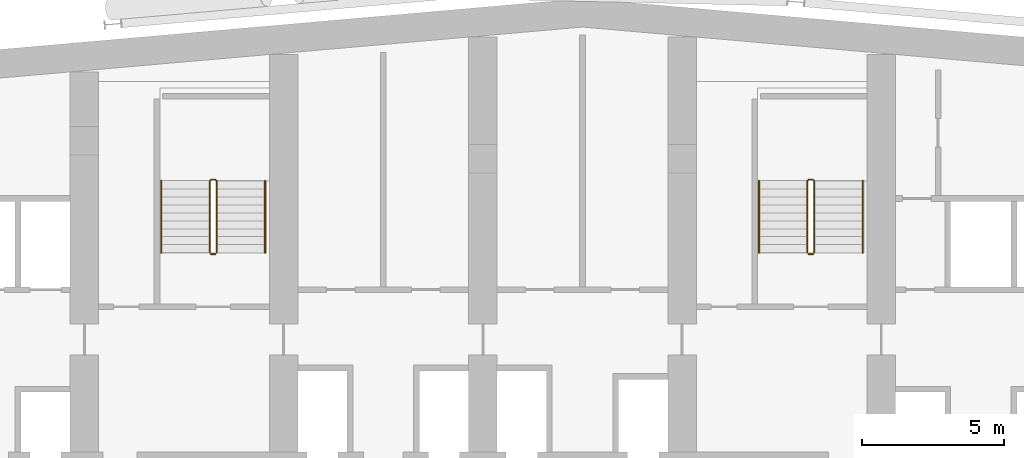
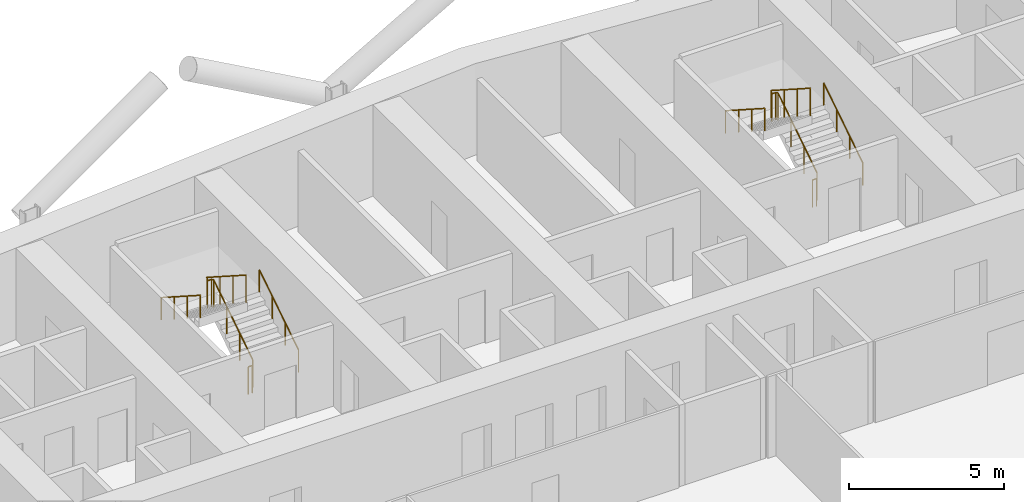
# One storey, part 26 of 27: 8 railings.
"""IFC4 building model written with IfcOpenShell, lengths in metres."""

import ifcopenshell
import ifcopenshell.guid

model = None  # the IFC model being written
_history = None  # IfcOwnerHistory: only IFC2X3 demands one
_inside = {}  # id of a spatial element -> (the spatial element, [elements in it])
_under = {}  # id of a project, library or spatial element -> (it, [spatial elements below it])
_declared = {}  # id of a project -> (the project, [libraries it declares])
_typed = {}  # id of a type object -> (the type object, [elements of that type])
_made_of = {}  # id of a material, layer set ... -> (it, [elements and type objects made of it])


def new_model(schema):
    """Start an empty IFC model of exactly this schema.

    Asked for "IFC4X3", IfcOpenShell would pick the latest addendum, in which some entities
    have other attributes; the version numbers below select the first issue.
    IFC2X3 requires an IfcOwnerHistory on every rooted entity: one is made here for all.
    """
    global model, _history
    if schema == "IFC4X3":
        model = ifcopenshell.file(schema_version=(4, 3, 0, 0))
    else:
        model = ifcopenshell.file(schema=schema)
    _inside.clear()
    _under.clear()
    _declared.clear()
    _typed.clear()
    _made_of.clear()
    _history = None
    if model.schema == "IFC2X3":
        org = make("IfcOrganization", Name="unknown")
        user = make(
            "IfcPersonAndOrganization",
            ThePerson=make("IfcPerson", FamilyName="unknown"),
            TheOrganization=org,
        )
        app = make(
            "IfcApplication",
            ApplicationDeveloper=org,
            Version="unknown",
            ApplicationFullName="unknown",
            ApplicationIdentifier="unknown",
        )
        _history = make(
            "IfcOwnerHistory",
            OwningUser=user,
            OwningApplication=app,
            ChangeAction="ADDED",
            CreationDate=0,
        )
    return model


def make(cls, **values):
    """One entity of the class cls with the attributes given. An attribute that is None is left unset."""
    return model.create_entity(
        cls, **{name: value for name, value in values.items() if value is not None}
    )


def rooted(cls, **values):
    """An entity with a GlobalId (a new one), such as an element, a storey or a relation."""
    return make(cls, GlobalId=ifcopenshell.guid.new(), OwnerHistory=_history, **values)


def si_unit(unit_type, name, prefix=None):
    """IfcSIUnit, for example si_unit("LENGTHUNIT", "METRE", prefix="MILLI")."""
    return make("IfcSIUnit", UnitType=unit_type, Prefix=prefix, Name=name)


def assignment(units):
    """IfcUnitAssignment: the units of a project."""
    return None if units is None else make("IfcUnitAssignment", Units=units)


def point(xyz):
    """IfcCartesianPoint."""
    return None if xyz is None else make("IfcCartesianPoint", Coordinates=xyz)


def direction(xyz):
    """IfcDirection."""
    return None if xyz is None else make("IfcDirection", DirectionRatios=xyz)


def frame(location, z_axis=None, x_axis=None):
    """IfcAxis2Placement3D, a coordinate frame: its origin and axes. An axis left out is left unset."""
    return make(
        "IfcAxis2Placement3D",
        Location=point(location),
        Axis=direction(z_axis),
        RefDirection=direction(x_axis),
    )


def frame_2d(location, x_axis=None):
    """IfcAxis2Placement2D, a coordinate frame in the plane: its origin and x axis."""
    return make(
        "IfcAxis2Placement2D", Location=point(location), RefDirection=direction(x_axis)
    )


def origin():
    """The frame at (0, 0, 0) with its axes left unset."""
    return frame((0.0, 0.0, 0.0))


def origin_2d():
    """The frame at (0, 0) in the plane with its x axis left unset."""
    return frame_2d((0.0, 0.0))


def place(relative_to, where):
    """IfcLocalPlacement: puts the frame where relative to a parent placement (None: the world)."""
    return make(
        "IfcLocalPlacement", PlacementRelTo=relative_to, RelativePlacement=where
    )


def context(
    kind, dimensions, precision=None, world=None, true_north=None, identifier=None
):
    """IfcGeometricRepresentationContext, for example the 3D "Model" context."""
    return make(
        "IfcGeometricRepresentationContext",
        ContextIdentifier=identifier,
        ContextType=kind,
        CoordinateSpaceDimension=dimensions,
        Precision=precision,
        WorldCoordinateSystem=world,
        TrueNorth=true_north,
    )


def subcontext(parent, identifier, kind, view, scale=None):
    """IfcGeometricRepresentationSubContext, for example "Body" below "Model"."""
    return make(
        "IfcGeometricRepresentationSubContext",
        ContextIdentifier=identifier,
        ContextType=kind,
        ParentContext=parent,
        TargetScale=scale,
        TargetView=view,
    )


def project(units=None, contexts=None):
    """IfcProject with its units and contexts."""
    return rooted(
        "IfcProject",
        Name="project",
        RepresentationContexts=contexts,
        UnitsInContext=assignment(units),
    )


def spatial(cls, under=None, at=None, **own):
    """A site, building, storey or space (cls), placed at a placement, below another one or the project."""
    s = rooted(cls, ObjectPlacement=at, **own)
    if under is not None:
        _under.setdefault(under.id(), (under, []))[1].append(s)
    return s


def profile(cls, at=None, kind="AREA", **sizes):
    """A parametric profile (cls). Its sizes go by their IFC names, for example OverallWidth=200.0."""
    return make(cls, ProfileType=kind, Position=at, **sizes)


def circle(**sizes):
    """IfcCircleProfileDef."""
    return profile("IfcCircleProfileDef", **sizes)


def extrude(swept, where, along, depth):
    """IfcExtrudedAreaSolid: the profile swept, set in the frame where, extruded along a direction by depth."""
    return make(
        "IfcExtrudedAreaSolid",
        SweptArea=swept,
        Position=where,
        ExtrudedDirection=direction(along),
        Depth=depth,
    )


def shape(context_of_items, identifier, shape_type, items):
    """IfcShapeRepresentation: the items that make up one representation, for example the "Body"."""
    return make(
        "IfcShapeRepresentation",
        ContextOfItems=context_of_items,
        RepresentationIdentifier=identifier,
        RepresentationType=shape_type,
        Items=items,
    )


def material(Name=None, Category=None):
    """IfcMaterial."""
    return make("IfcMaterial", Name=Name, Category=Category)


def made_of(thing, what):
    """Note that an element or type object is made of a material, layer set ...; save() writes the relation."""
    if what is not None:
        _made_of.setdefault(what.id(), (what, []))[1].append(thing)
    return thing


def type_object(cls, material=None, **own):
    """A type object (cls), such as IfcWallType, which elements share."""
    return made_of(rooted(cls, **own), material)


def element(
    cls,
    number,
    at=None,
    inside=None,
    cuts=None,
    type_object=None,
    material=None,
    context=None,
    identifier="Body",
    shape_type=None,
    held_by="IfcProductDefinitionShape",
    body=None,
    shapes=None,
    **own,
):
    """One element of the class cls, such as IfcWall. Its Tag is "e" and its number.

    at: its placement. inside: the storey or other place that contains it. cuts: it is an
    opening in that element (IfcRelVoidsElement). A single representation is given by context,
    identifier, shape_type and body (its items); several are given by shapes. held_by: the class
    of the entity that holds the representations. save() writes the other relations.
    """
    e = rooted(cls, Tag="e%d" % number, ObjectPlacement=at, **own)
    if body is not None:
        shapes = [shape(context, identifier, shape_type, body)]
    if shapes is not None:
        e.Representation = make(held_by, Representations=shapes)
    if inside is not None:
        _inside.setdefault(inside.id(), (inside, []))[1].append(e)
    if cuts is not None:
        rooted(
            "IfcRelVoidsElement", RelatingBuildingElement=cuts, RelatedOpeningElement=e
        )
    if type_object is not None:
        _typed.setdefault(type_object.id(), (type_object, []))[1].append(e)
    return made_of(e, material)


def aggregate(whole, parts):
    """IfcRelAggregates: a whole, such as a stair, and the parts it consists of."""
    return rooted("IfcRelAggregates", RelatingObject=whole, RelatedObjects=parts)


def save(model, path):
    """Write the relations noted so far, then the file.

    IfcRelAggregates (storeys below a building ...), IfcRelContainedInSpatialStructure (elements
    in a storey), IfcRelDefinesByType, IfcRelAssociatesMaterial and IfcRelDeclares: one each for
    every whole, place, type object, material and project.
    """
    for whole, parts in _under.values():
        aggregate(whole, parts)
    for where, things in _inside.values():
        rooted(
            "IfcRelContainedInSpatialStructure",
            RelatedElements=things,
            RelatingStructure=where,
        )
    for kind, things in _typed.values():
        rooted("IfcRelDefinesByType", RelatedObjects=things, RelatingType=kind)
    for what, things in _made_of.values():
        rooted("IfcRelAssociatesMaterial", RelatedObjects=things, RelatingMaterial=what)
    for by, libraries in _declared.values():
        rooted("IfcRelDeclares", RelatingContext=by, RelatedDefinitions=libraries)
    model.write(path)


model = new_model("IFC4")

# Units and contexts
model_context = context("Model", 3, precision=1e-05, world=origin(), true_north=direction((0.0, 1.0)))
body_context = subcontext(model_context, "Body", "Model", "MODEL_VIEW")
ifc_project = project(units=[si_unit("LENGTHUNIT", "METRE"), si_unit("AREAUNIT", "SQUARE_METRE"), si_unit("VOLUMEUNIT", "CUBIC_METRE"), si_unit("PLANEANGLEUNIT", "RADIAN"), si_unit("MASSUNIT", "GRAM", prefix="KILO")], contexts=[model_context])

# Site, building, storey
site_placement = place(None, origin())
site = spatial("IfcSite", under=ifc_project, at=site_placement, CompositionType="ELEMENT")
building_placement = place(site_placement, origin())
building = spatial("IfcBuilding", under=site, at=building_placement, Name="Wharfspan Tower", CompositionType="ELEMENT")
storey_placement = place(building_placement, frame((0.0, 0.0, 136.300049)))
storey = spatial("IfcBuildingStorey", under=building, at=storey_placement, Name="L32", CompositionType="ELEMENT", Elevation=136.300049)

# Railings
ifc_material = material(Name="Steel S355J2", Category="steel")
railing_type_1 = type_object("IfcRailingType", Name="Stair guard 1100", PredefinedType="GUARDRAIL", material=ifc_material)
railing_1_placement = place(storey_placement, frame((27.649902, 42.0, 0.179932)))
element("IfcRailing", 1, at=railing_1_placement, inside=storey, type_object=railing_type_1, Name="L32 ST1 stair guard 1", PredefinedType="GUARDRAIL", context=body_context, shape_type="SweptSolid", body=[
    extrude(circle(Radius=0.023926, at=origin_2d()), frame((0.0, 0.0, 1.076172), z_axis=(0.0, 0.841163, 0.540782), x_axis=(-1.0, 0.0, 0.0)), (0.0, 0.0, 1.0), 2.99585),
    extrude(circle(Radius=0.023926, at=origin_2d()), frame((0.0, 2.52002, 2.696289), z_axis=(-0.705376, 0.708834, 0.0), x_axis=(-0.708834, -0.705376, 0.0)), (0.0, 0.0, 1.0), 0.070557),
    extrude(circle(Radius=0.023926, at=origin_2d()), frame((-0.049805, 2.570068, 2.696289), z_axis=(-1.0, 0.0, 0.0), x_axis=(0.0, -1.0, 0.0)), (0.0, 0.0, 1.0), 0.150146),
    extrude(circle(Radius=0.023926, at=origin_2d()), frame((-0.199951, 2.570068, 2.696289), z_axis=(-0.258848, -0.258848, 0.930589), x_axis=(0.707107, -0.707107, 0.0)), (0.0, 0.0, 1.0), 0.193359),
    extrude(circle(Radius=0.023926, at=origin_2d()), frame((-0.25, 2.52002, 2.875977), z_axis=(0.0, -0.8412, 0.540725), x_axis=(1.0, 0.0, 0.0)), (0.0, 0.0, 1.0), 2.99585),
    extrude(circle(Radius=0.020996, at=origin_2d()), origin(), (0.0, 0.0, 1.0), 1.052002),
    extrude(circle(Radius=0.020996, at=origin_2d()), frame((0.0, 0.840088, 0.540039)), (0.0, 0.0, 1.0), 1.052002),
    extrude(circle(Radius=0.020996, at=origin_2d()), frame((0.0, 1.679932, 1.080078)), (0.0, 0.0, 1.0), 1.052002),
    extrude(circle(Radius=0.020996, at=origin_2d()), frame((0.0, 2.52002, 1.620117)), (0.0, 0.0, 1.0), 1.052002),
    extrude(circle(Radius=0.020996, at=origin_2d()), frame((-0.049805, 2.570068, 1.620117)), (0.0, 0.0, 1.0), 1.052002),
    extrude(circle(Radius=0.020996, at=origin_2d()), frame((-0.199951, 2.570068, 1.620117)), (0.0, 0.0, 1.0), 1.052002),
    extrude(circle(Radius=0.020996, at=origin_2d()), frame((-0.25, 2.52002, 1.800049)), (0.0, 0.0, 1.0), 1.052002),
    extrude(circle(Radius=0.020996, at=origin_2d()), frame((-0.25, 1.679932, 2.340088)), (0.0, 0.0, 1.0), 1.052002),
    extrude(circle(Radius=0.020996, at=origin_2d()), frame((-0.25, 0.840088, 2.879883)), (0.0, 0.0, 1.0), 1.052002),
    extrude(circle(Radius=0.020996, at=origin_2d()), frame((-0.25, 0.0, 3.419922)), (0.0, 0.0, 1.0), 1.052002),
])
railing_2_placement = place(storey_placement, frame((27.600098, 41.949951, 0.0)))
element("IfcRailing", 2, at=railing_2_placement, inside=storey, type_object=railing_type_1, Name="L32 ST1 stair guard 2", PredefinedType="GUARDRAIL", context=body_context, shape_type="SweptSolid", body=[
    extrude(circle(Radius=0.023926, at=origin_2d()), frame((0.0, 0.0, 1.076172), z_axis=(-1.0, 0.0, 0.0), x_axis=(0.0, -1.0, 0.0)), (0.0, 0.0, 1.0), 0.150146),
    extrude(circle(Radius=0.020996, at=origin_2d()), origin(), (0.0, 0.0, 1.0), 1.052002),
    extrude(circle(Radius=0.020996, at=origin_2d()), frame((-0.150146, 0.0, 0.0)), (0.0, 0.0, 1.0), 1.052002),
])
railing_3_placement = place(storey_placement, frame((48.649902, 42.0, 0.179932)))
element("IfcRailing", 3, at=railing_3_placement, inside=storey, type_object=railing_type_1, Name="L32 ST2 stair guard 1", PredefinedType="GUARDRAIL", context=body_context, shape_type="SweptSolid", body=[
    extrude(circle(Radius=0.023926, at=origin_2d()), frame((0.0, 0.0, 1.076172), z_axis=(0.0, 0.841163, 0.540782), x_axis=(-1.0, 0.0, 0.0)), (0.0, 0.0, 1.0), 2.99585),
    extrude(circle(Radius=0.023926, at=origin_2d()), frame((0.0, 2.52002, 2.696289), z_axis=(-0.705376, 0.708834, 0.0), x_axis=(-0.708834, -0.705376, 0.0)), (0.0, 0.0, 1.0), 0.070557),
    extrude(circle(Radius=0.023926, at=origin_2d()), frame((-0.049805, 2.570068, 2.696289), z_axis=(-1.0, 0.0, 0.0), x_axis=(0.0, -1.0, 0.0)), (0.0, 0.0, 1.0), 0.150146),
    extrude(circle(Radius=0.023926, at=origin_2d()), frame((-0.199951, 2.570068, 2.696289), z_axis=(-0.258848, -0.258848, 0.930589), x_axis=(0.707107, -0.707107, 0.0)), (0.0, 0.0, 1.0), 0.193359),
    extrude(circle(Radius=0.023926, at=origin_2d()), frame((-0.25, 2.52002, 2.875977), z_axis=(0.0, -0.8412, 0.540725), x_axis=(1.0, 0.0, 0.0)), (0.0, 0.0, 1.0), 2.99585),
    extrude(circle(Radius=0.020996, at=origin_2d()), origin(), (0.0, 0.0, 1.0), 1.052002),
    extrude(circle(Radius=0.020996, at=origin_2d()), frame((0.0, 0.840088, 0.540039)), (0.0, 0.0, 1.0), 1.052002),
    extrude(circle(Radius=0.020996, at=origin_2d()), frame((0.0, 1.679932, 1.080078)), (0.0, 0.0, 1.0), 1.052002),
    extrude(circle(Radius=0.020996, at=origin_2d()), frame((0.0, 2.52002, 1.620117)), (0.0, 0.0, 1.0), 1.052002),
    extrude(circle(Radius=0.020996, at=origin_2d()), frame((-0.049805, 2.570068, 1.620117)), (0.0, 0.0, 1.0), 1.052002),
    extrude(circle(Radius=0.020996, at=origin_2d()), frame((-0.199951, 2.570068, 1.620117)), (0.0, 0.0, 1.0), 1.052002),
    extrude(circle(Radius=0.020996, at=origin_2d()), frame((-0.25, 2.52002, 1.800049)), (0.0, 0.0, 1.0), 1.052002),
    extrude(circle(Radius=0.020996, at=origin_2d()), frame((-0.25, 1.679932, 2.340088)), (0.0, 0.0, 1.0), 1.052002),
    extrude(circle(Radius=0.020996, at=origin_2d()), frame((-0.25, 0.840088, 2.879883)), (0.0, 0.0, 1.0), 1.052002),
    extrude(circle(Radius=0.020996, at=origin_2d()), frame((-0.25, 0.0, 3.419922)), (0.0, 0.0, 1.0), 1.052002),
])
railing_4_placement = place(storey_placement, frame((48.600098, 41.949951, 0.0)))
element("IfcRailing", 4, at=railing_4_placement, inside=storey, type_object=railing_type_1, Name="L32 ST2 stair guard 2", PredefinedType="GUARDRAIL", context=body_context, shape_type="SweptSolid", body=[
    extrude(circle(Radius=0.023926, at=origin_2d()), frame((0.0, 0.0, 1.076172), z_axis=(-1.0, 0.0, 0.0), x_axis=(0.0, -1.0, 0.0)), (0.0, 0.0, 1.0), 0.150146),
    extrude(circle(Radius=0.020996, at=origin_2d()), origin(), (0.0, 0.0, 1.0), 1.052002),
    extrude(circle(Radius=0.020996, at=origin_2d()), frame((-0.150146, 0.0, 0.0)), (0.0, 0.0, 1.0), 1.052002),
])
railing_type_2 = type_object("IfcRailingType", Name="Stair handrail 900", PredefinedType="HANDRAIL", material=ifc_material)
railing_5_placement = place(storey_placement, frame((29.350098, 42.0, 0.179932)))
element("IfcRailing", 5, at=railing_5_placement, inside=storey, type_object=railing_type_2, Name="L32 ST1 stair handrail 1", PredefinedType="HANDRAIL", context=body_context, shape_type="SweptSolid", body=[
    extrude(circle(Radius=0.023926, at=origin_2d()), frame((0.0, 0.0, 0.875977), z_axis=(0.0, 0.841163, 0.540782), x_axis=(-1.0, 0.0, 0.0)), (0.0, 0.0, 1.0), 2.99585),
    extrude(circle(Radius=0.020996, at=origin_2d()), origin(), (0.0, 0.0, 1.0), 0.851807),
    extrude(circle(Radius=0.020996, at=origin_2d()), frame((0.0, 0.840088, 0.540039)), (0.0, 0.0, 1.0), 0.851807),
    extrude(circle(Radius=0.020996, at=origin_2d()), frame((0.0, 1.679932, 1.080078)), (0.0, 0.0, 1.0), 0.851807),
    extrude(circle(Radius=0.020996, at=origin_2d()), frame((0.0, 2.52002, 1.620117)), (0.0, 0.0, 1.0), 0.851807),
])
railing_6_placement = place(storey_placement, frame((25.699951, 44.52002, 1.97998)))
element("IfcRailing", 6, at=railing_6_placement, inside=storey, type_object=railing_type_2, Name="L32 ST1 stair handrail 2", PredefinedType="HANDRAIL", context=body_context, shape_type="SweptSolid", body=[
    extrude(circle(Radius=0.023926, at=origin_2d()), frame((0.0, 0.0, 0.875977), z_axis=(0.0, -0.8412, 0.540725), x_axis=(1.0, 0.0, 0.0)), (0.0, 0.0, 1.0), 2.99585),
    extrude(circle(Radius=0.020996, at=origin_2d()), origin(), (0.0, 0.0, 1.0), 0.851807),
    extrude(circle(Radius=0.020996, at=origin_2d()), frame((0.0, -0.840088, 0.540039)), (0.0, 0.0, 1.0), 0.851807),
    extrude(circle(Radius=0.020996, at=origin_2d()), frame((0.0, -1.679932, 1.079834)), (0.0, 0.0, 1.0), 0.851807),
    extrude(circle(Radius=0.020996, at=origin_2d()), frame((0.0, -2.52002, 1.619873)), (0.0, 0.0, 1.0), 0.851807),
])
railing_7_placement = place(storey_placement, frame((50.350098, 42.0, 0.179932)))
element("IfcRailing", 7, at=railing_7_placement, inside=storey, type_object=railing_type_2, Name="L32 ST2 stair handrail 1", PredefinedType="HANDRAIL", context=body_context, shape_type="SweptSolid", body=[
    extrude(circle(Radius=0.023926, at=origin_2d()), frame((0.0, 0.0, 0.875977), z_axis=(0.0, 0.841163, 0.540782), x_axis=(-1.0, 0.0, 0.0)), (0.0, 0.0, 1.0), 2.99585),
    extrude(circle(Radius=0.020996, at=origin_2d()), origin(), (0.0, 0.0, 1.0), 0.851807),
    extrude(circle(Radius=0.020996, at=origin_2d()), frame((0.0, 0.840088, 0.540039)), (0.0, 0.0, 1.0), 0.851807),
    extrude(circle(Radius=0.020996, at=origin_2d()), frame((0.0, 1.679932, 1.080078)), (0.0, 0.0, 1.0), 0.851807),
    extrude(circle(Radius=0.020996, at=origin_2d()), frame((0.0, 2.52002, 1.620117)), (0.0, 0.0, 1.0), 0.851807),
])
railing_8_placement = place(storey_placement, frame((46.699951, 44.52002, 1.97998)))
element("IfcRailing", 8, at=railing_8_placement, inside=storey, type_object=railing_type_2, Name="L32 ST2 stair handrail 2", PredefinedType="HANDRAIL", context=body_context, shape_type="SweptSolid", body=[
    extrude(circle(Radius=0.023926, at=origin_2d()), frame((0.0, 0.0, 0.875977), z_axis=(0.0, -0.8412, 0.540725), x_axis=(1.0, 0.0, 0.0)), (0.0, 0.0, 1.0), 2.99585),
    extrude(circle(Radius=0.020996, at=origin_2d()), origin(), (0.0, 0.0, 1.0), 0.851807),
    extrude(circle(Radius=0.020996, at=origin_2d()), frame((0.0, -0.840088, 0.540039)), (0.0, 0.0, 1.0), 0.851807),
    extrude(circle(Radius=0.020996, at=origin_2d()), frame((0.0, -1.679932, 1.079834)), (0.0, 0.0, 1.0), 0.851807),
    extrude(circle(Radius=0.020996, at=origin_2d()), frame((0.0, -2.52002, 1.619873)), (0.0, 0.0, 1.0), 0.851807),
])

save(model, "model.ifc")
